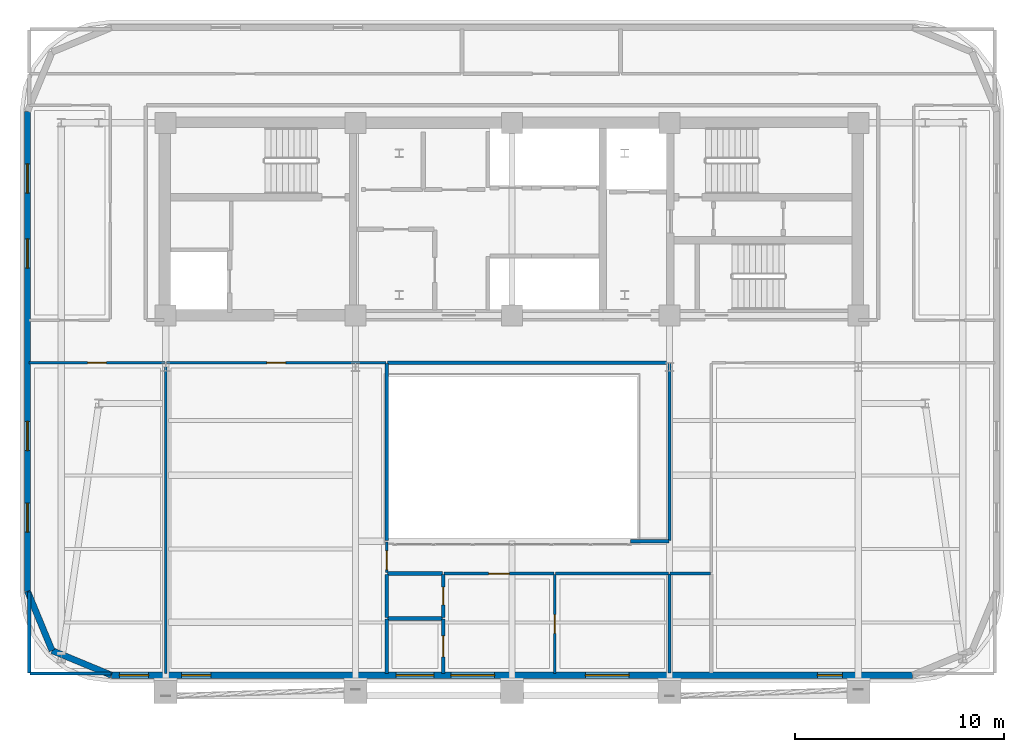
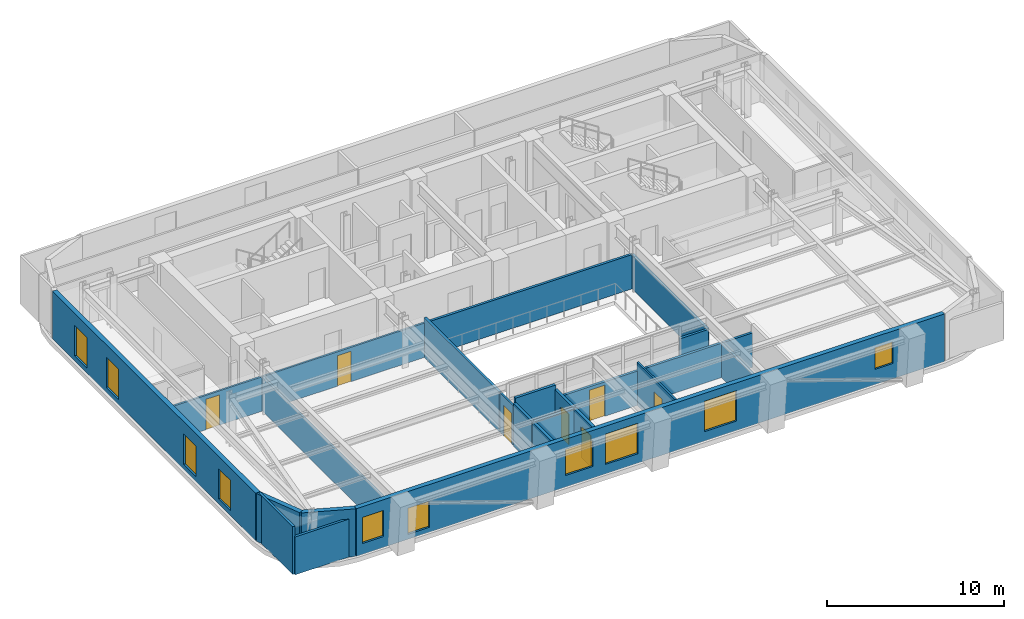
# One storey, part 6 of 13: 25 walls, 10 windows, 7 doors, 17 openings.
"""IFC4 building model written with IfcOpenShell, lengths in metres."""

from ifc_helpers import new_model, si_unit, direction, frame, frame_2d, origin, place, context, subcontext, project, spatial, rectangle, extrude, material, layer, layer_set, type_object, element, fill, save


model = new_model("IFC4")

# Units and contexts
model_context = context("Model", 3, precision=1e-05, world=origin(), true_north=direction((0.0, 1.0)))
body_context = subcontext(model_context, "Body", "Model", "MODEL_VIEW")
ifc_project = project(units=[si_unit("LENGTHUNIT", "METRE"), si_unit("AREAUNIT", "SQUARE_METRE"), si_unit("VOLUMEUNIT", "CUBIC_METRE"), si_unit("PLANEANGLEUNIT", "RADIAN"), si_unit("MASSUNIT", "GRAM", prefix="KILO")], contexts=[model_context])

# Site, building, storey
site_placement = place(None, origin())
site = spatial("IfcSite", under=ifc_project, at=site_placement, CompositionType="ELEMENT")
building_placement = place(site_placement, origin())
building = spatial("IfcBuilding", under=site, at=building_placement, Name="Zarnavel Station Tower", CompositionType="ELEMENT")
storey_placement = place(building_placement, frame((0.0, 0.0, 180.300048828125)))
storey = spatial("IfcBuildingStorey", under=building, at=storey_placement, Name="L49", CompositionType="ELEMENT", Elevation=180.300048828125)

# Wall, openings, windows
ifc_material_1 = material(Name="Precast concrete C45/55 (Dark Basalt Finish)", Category="masonry")
ifc_layer_1 = layer(ifc_material_1, 0.300048828125)
ifc_layer_set_1 = layer_set([ifc_layer_1], Name="EW_BASALT_300")
wall_type_1 = type_object("IfcWallType", Name="EW_BASALT_300", PredefinedType="SOLIDWALL", material=ifc_layer_set_1)
wall_1_placement = place(storey_placement, frame((5.580078125, 14.60009765625, 0.0), z_axis=(0.0, 0.0, 1.0), x_axis=(0.0, 1.0, 0.0)))
wall_1 = element("IfcWall", 1, at=wall_1_placement, inside=storey, type_object=wall_type_1, Name="L49 Exterior Basalt Masonry Frame Wall 09", PredefinedType="SOLIDWALL", context=body_context, shape_type="SweptSolid", body=[
    extrude(rectangle(XDim=23.0, YDim=0.300048828125, at=frame_2d((11.5, 0.0))), origin(), (0.0, 0.0, 1.0), 3.2900390625),
])
opening_1_placement = place(wall_1_placement, frame((15.493408203125, 0.0, 0.340087890625)))
opening_1 = element("IfcOpeningElement", 2, at=opening_1_placement, cuts=wall_1, Name="Opening WN04", PredefinedType="OPENING", context=body_context, shape_type="SweptSolid", body=[
    extrude(rectangle(XDim=1.39990234375, YDim=2.10009765625, at=frame_2d((0.699951171875, 1.050048828125))), frame((0.0, 0.159912109375, 0.0), z_axis=(0.0, -1.0, 0.0), x_axis=(1.0, 0.0, 0.0)), (0.0, 0.0, 1.0), 0.320068359375),
])
opening_2_placement = place(wall_1_placement, frame((19.086669921875, 0.0, 0.340087890625)))
opening_2 = element("IfcOpeningElement", 3, at=opening_2_placement, cuts=wall_1, Name="Opening WN04", PredefinedType="OPENING", context=body_context, shape_type="SweptSolid", body=[
    extrude(rectangle(XDim=1.39990234375, YDim=2.10009765625, at=frame_2d((0.699951171875, 1.050048828125))), frame((0.0, 0.159912109375, 0.0), z_axis=(0.0, -1.0, 0.0), x_axis=(1.0, 0.0, 0.0)), (0.0, 0.0, 1.0), 0.320068359375),
])
opening_3_placement = place(wall_1_placement, frame((2.830078125, 0.0, 0.340087890625)))
opening_3 = element("IfcOpeningElement", 4, at=opening_3_placement, cuts=wall_1, Name="Opening WN04", PredefinedType="OPENING", context=body_context, shape_type="SweptSolid", body=[
    extrude(rectangle(XDim=1.39990234375, YDim=2.10009765625, at=frame_2d((0.699951171875, 1.050048828125))), frame((0.0, 0.159912109375, 0.0), z_axis=(0.0, -1.0, 0.0), x_axis=(1.0, 0.0, 0.0)), (0.0, 0.0, 1.0), 0.320068359375),
])
opening_4_placement = place(wall_1_placement, frame((6.739990234375, 0.0, 0.340087890625)))
opening_4 = element("IfcOpeningElement", 5, at=opening_4_placement, cuts=wall_1, Name="Opening WN04", PredefinedType="OPENING", context=body_context, shape_type="SweptSolid", body=[
    extrude(rectangle(XDim=1.39990234375, YDim=2.10009765625, at=frame_2d((0.699951171875, 1.050048828125))), frame((0.0, 0.159912109375, 0.0), z_axis=(0.0, -1.0, 0.0), x_axis=(1.0, 0.0, 0.0)), (0.0, 0.0, 1.0), 0.320068359375),
])
ifc_material_2 = material(Name="Thermally Broken Black Aluminium and Low-E Dark Glass", Category="aluminium")
window_type_1 = type_object("IfcWindowType", Name="WN_1400x2100", PartitioningType="DOUBLE_PANEL_VERTICAL", PredefinedType="WINDOW", material=ifc_material_2)
window_1_placement = place(opening_1_placement, origin())
window_1 = element("IfcWindow", 6, at=window_1_placement, inside=storey, type_object=window_type_1, Name="L49 Recessed Facade Window 01", OverallHeight=2.10009765625, OverallWidth=1.39990234375, PartitioningType="SINGLE_PANEL", PredefinedType="WINDOW", context=body_context, shape_type="SweptSolid", body=[
    extrude(rectangle(XDim=1.39990234375, YDim=2.10009765625, at=frame_2d((0.699951171875, 1.050048828125))), frame((0.0, 0.030029296875, 0.0), z_axis=(0.0, -1.0, 0.0), x_axis=(1.0, 0.0, 0.0)), (0.0, 0.0, 1.0), 0.06005859375),
])
fill(opening_1, window_1)
window_2_placement = place(opening_2_placement, origin())
window_2 = element("IfcWindow", 7, at=window_2_placement, inside=storey, type_object=window_type_1, Name="L49 Recessed Facade Window 02", OverallHeight=2.10009765625, OverallWidth=1.39990234375, PartitioningType="SINGLE_PANEL", PredefinedType="WINDOW", context=body_context, shape_type="SweptSolid", body=[
    extrude(rectangle(XDim=1.39990234375, YDim=2.10009765625, at=frame_2d((0.699951171875, 1.050048828125))), frame((0.0, 0.030029296875, 0.0), z_axis=(0.0, -1.0, 0.0), x_axis=(1.0, 0.0, 0.0)), (0.0, 0.0, 1.0), 0.06005859375),
])
fill(opening_2, window_2)
window_3_placement = place(opening_3_placement, origin())
window_3 = element("IfcWindow", 8, at=window_3_placement, inside=storey, type_object=window_type_1, Name="L49 Recessed Facade Window 03", OverallHeight=2.10009765625, OverallWidth=1.39990234375, PartitioningType="SINGLE_PANEL", PredefinedType="WINDOW", context=body_context, shape_type="SweptSolid", body=[
    extrude(rectangle(XDim=1.39990234375, YDim=2.10009765625, at=frame_2d((0.699951171875, 1.050048828125))), frame((0.0, 0.030029296875, 0.0), z_axis=(0.0, -1.0, 0.0), x_axis=(1.0, 0.0, 0.0)), (0.0, 0.0, 1.0), 0.06005859375),
])
fill(opening_3, window_3)
window_4_placement = place(opening_4_placement, origin())
window_4 = element("IfcWindow", 9, at=window_4_placement, inside=storey, type_object=window_type_1, Name="L49 Recessed Facade Window 04", OverallHeight=2.10009765625, OverallWidth=1.39990234375, PartitioningType="SINGLE_PANEL", PredefinedType="WINDOW", context=body_context, shape_type="SweptSolid", body=[
    extrude(rectangle(XDim=1.39990234375, YDim=2.10009765625, at=frame_2d((0.699951171875, 1.050048828125))), frame((0.0, 0.030029296875, 0.0), z_axis=(0.0, -1.0, 0.0), x_axis=(1.0, 0.0, 0.0)), (0.0, 0.0, 1.0), 0.06005859375),
])
fill(opening_4, window_4)

# Walls
for number, where, z_axis, x_axis, name in (
    (10, (6.75732421875, 11.75732421875, 0.0), (0.0, 0.0, 1.0), (-0.382608747773, 0.923910464346, 0.0), "L49 Exterior Basalt Masonry Frame Wall 10"),
    (11, (9.60009765625, 10.580078125, 0.0), (0.0, 0.0, 1.0), (-0.923910464346, 0.382608747773, 0.0), "L49 Exterior Basalt Masonry Frame Wall 11"),
):
    element("IfcWall", number, at=place(storey_placement, frame(where, z_axis=z_axis, x_axis=x_axis)), inside=storey, type_object=wall_type_1, Name=name, PredefinedType="SOLIDWALL", context=body_context, shape_type="SweptSolid", body=[
        extrude(rectangle(XDim=3.076904296875, YDim=0.300048828125, at=frame_2d((1.53857421875, 0.0))), origin(), (0.0, 0.0, 1.0), 3.2900390625),
    ])

# Wall, openings, windows
wall_2_placement = place(storey_placement, frame((48.0, 10.580078125, 0.0), z_axis=(0.0, 0.0, 1.0), x_axis=(-1.0, 0.0, 0.0)))
wall_2 = element("IfcWall", 12, at=wall_2_placement, inside=storey, type_object=wall_type_1, Name="L49 Exterior Basalt Masonry Frame Wall 12", PredefinedType="SOLIDWALL", context=body_context, shape_type="SweptSolid", body=[
    extrude(rectangle(XDim=38.39990234375, YDim=0.300048828125, at=frame_2d((19.199951171875, 0.0))), origin(), (0.0, 0.0, 1.0), 3.2900390625),
])
opening_5_placement = place(wall_2_placement, frame((36.621337890625, 0.0, 0.75)))
opening_5 = element("IfcOpeningElement", 13, at=opening_5_placement, cuts=wall_2, Name="Opening WN01", PredefinedType="OPENING", context=body_context, shape_type="SweptSolid", body=[
    extrude(rectangle(XDim=1.39990234375, YDim=1.800048828125, at=frame_2d((0.699951171875, 0.89990234375))), frame((0.0, 0.159912109375, 0.0), z_axis=(0.0, -1.0, 0.0), x_axis=(1.0, 0.0, 0.0)), (0.0, 0.0, 1.0), 0.320068359375),
])
opening_6_placement = place(wall_2_placement, frame((33.63720703125, 0.0, 0.340087890625)))
opening_6 = element("IfcOpeningElement", 14, at=opening_6_placement, cuts=wall_2, Name="Opening WN01", PredefinedType="OPENING", context=body_context, shape_type="SweptSolid", body=[
    extrude(rectangle(XDim=1.39990234375, YDim=1.800048828125, at=frame_2d((0.699951171875, 0.89990234375))), frame((0.0, 0.159912109375, 0.0), z_axis=(0.0, -1.0, 0.0), x_axis=(1.0, 0.0, 0.0)), (0.0, 0.0, 1.0), 0.320068359375),
])
opening_7_placement = place(wall_2_placement, frame((20.031494140625, 0.0, 0.64990234375)))
opening_7 = element("IfcOpeningElement", 15, at=opening_7_placement, cuts=wall_2, Name="Opening WN05", PredefinedType="OPENING", context=body_context, shape_type="SweptSolid", body=[
    extrude(rectangle(XDim=2.10009765625, YDim=2.10009765625, at=frame_2d((1.050048828125, 1.050048828125))), frame((0.0, 0.159912109375, 0.0), z_axis=(0.0, -1.0, 0.0), x_axis=(1.0, 0.0, 0.0)), (0.0, 0.0, 1.0), 0.320068359375),
])
opening_8_placement = place(wall_2_placement, frame((22.949951171875, 0.0, 0.800048828125)))
opening_8 = element("IfcOpeningElement", 16, at=opening_8_placement, cuts=wall_2, Name="Opening WN02", PredefinedType="OPENING", context=body_context, shape_type="SweptSolid", body=[
    extrude(rectangle(XDim=1.800048828125, YDim=1.800048828125, at=frame_2d((0.89990234375, 0.89990234375))), frame((0.0, 0.159912109375, 0.0), z_axis=(0.0, -1.0, 0.0), x_axis=(1.0, 0.0, 0.0)), (0.0, 0.0, 1.0), 0.320068359375),
])
opening_9_placement = place(wall_2_placement, frame((13.581298828125, 0.0, 0.64990234375)))
opening_9 = element("IfcOpeningElement", 17, at=opening_9_placement, cuts=wall_2, Name="Opening WN05", PredefinedType="OPENING", context=body_context, shape_type="SweptSolid", body=[
    extrude(rectangle(XDim=2.10009765625, YDim=2.10009765625, at=frame_2d((1.050048828125, 1.050048828125))), frame((0.0, 0.159912109375, 0.0), z_axis=(0.0, -1.0, 0.0), x_axis=(1.0, 0.0, 0.0)), (0.0, 0.0, 1.0), 0.320068359375),
])
opening_10_placement = place(wall_2_placement, frame((3.36279296875, 0.0, 1.050048828125)))
opening_10 = element("IfcOpeningElement", 18, at=opening_10_placement, cuts=wall_2, Name="Opening WN08", PredefinedType="OPENING", context=body_context, shape_type="SweptSolid", body=[
    extrude(rectangle(XDim=1.199951171875, YDim=1.5, at=frame_2d((0.60009765625, 0.75))), frame((0.0, 0.159912109375, 0.0), z_axis=(0.0, -1.0, 0.0), x_axis=(1.0, 0.0, 0.0)), (0.0, 0.0, 1.0), 0.320068359375),
])
ifc_material_3 = material(Name="Thermally Broken Black Aluminium and Low-E Dark Glass", Category="aluminium")
window_type_2 = type_object("IfcWindowType", Name="WN_1200x1500", PartitioningType="SINGLE_PANEL", PredefinedType="WINDOW", material=ifc_material_3)
window_5_placement = place(opening_10_placement, origin())
window_5 = element("IfcWindow", 19, at=window_5_placement, inside=storey, type_object=window_type_2, Name="L49 Recessed Facade Window 06", OverallHeight=1.5, OverallWidth=1.199951171875, PartitioningType="SINGLE_PANEL", PredefinedType="WINDOW", context=body_context, shape_type="SweptSolid", body=[
    extrude(rectangle(XDim=1.199951171875, YDim=1.5, at=frame_2d((0.60009765625, 0.75))), frame((0.0, 0.030029296875, 0.0), z_axis=(0.0, -1.0, 0.0), x_axis=(1.0, 0.0, 0.0)), (0.0, 0.0, 1.0), 0.06005859375),
])
fill(opening_10, window_5)
ifc_material_4 = material(Name="Thermally Broken Black Aluminium and Low-E Dark Glass", Category="aluminium")
window_type_3 = type_object("IfcWindowType", Name="WN_1400x1800", PartitioningType="DOUBLE_PANEL_VERTICAL", PredefinedType="WINDOW", material=ifc_material_4)
window_6_placement = place(opening_5_placement, origin())
window_6 = element("IfcWindow", 20, at=window_6_placement, inside=storey, type_object=window_type_3, Name="L49 Recessed Facade Window 01", OverallHeight=1.800048828125, OverallWidth=1.39990234375, PartitioningType="SINGLE_PANEL", PredefinedType="WINDOW", context=body_context, shape_type="SweptSolid", body=[
    extrude(rectangle(XDim=1.39990234375, YDim=1.800048828125, at=frame_2d((0.699951171875, 0.89990234375))), frame((0.0, 0.030029296875, 0.0), z_axis=(0.0, -1.0, 0.0), x_axis=(1.0, 0.0, 0.0)), (0.0, 0.0, 1.0), 0.06005859375),
])
fill(opening_5, window_6)
window_7_placement = place(opening_6_placement, origin())
window_7 = element("IfcWindow", 21, at=window_7_placement, inside=storey, type_object=window_type_3, Name="L49 Recessed Facade Window 02", OverallHeight=1.800048828125, OverallWidth=1.39990234375, PartitioningType="SINGLE_PANEL", PredefinedType="WINDOW", context=body_context, shape_type="SweptSolid", body=[
    extrude(rectangle(XDim=1.39990234375, YDim=1.800048828125, at=frame_2d((0.699951171875, 0.89990234375))), frame((0.0, 0.030029296875, 0.0), z_axis=(0.0, -1.0, 0.0), x_axis=(1.0, 0.0, 0.0)), (0.0, 0.0, 1.0), 0.06005859375),
])
fill(opening_6, window_7)
ifc_material_5 = material(Name="Thermally Broken Black Aluminium and Low-E Dark Glass", Category="aluminium")
window_type_4 = type_object("IfcWindowType", Name="WN_1800x1800", PartitioningType="DOUBLE_PANEL_VERTICAL", PredefinedType="WINDOW", material=ifc_material_5)
window_8_placement = place(opening_8_placement, origin())
window_8 = element("IfcWindow", 22, at=window_8_placement, inside=storey, type_object=window_type_4, Name="L49 Recessed Facade Window 04", OverallHeight=1.800048828125, OverallWidth=1.800048828125, PartitioningType="SINGLE_PANEL", PredefinedType="WINDOW", context=body_context, shape_type="SweptSolid", body=[
    extrude(rectangle(XDim=1.800048828125, YDim=1.800048828125, at=frame_2d((0.89990234375, 0.89990234375))), frame((0.0, 0.030029296875, 0.0), z_axis=(0.0, -1.0, 0.0), x_axis=(1.0, 0.0, 0.0)), (0.0, 0.0, 1.0), 0.06005859375),
])
fill(opening_8, window_8)
ifc_material_6 = material(Name="Thermally Broken Black Aluminium and Low-E Dark Glass", Category="aluminium")
window_type_5 = type_object("IfcWindowType", Name="WN_2100x2100", PartitioningType="TRIPLE_PANEL_VERTICAL", PredefinedType="WINDOW", material=ifc_material_6)
window_9_placement = place(opening_7_placement, origin())
window_9 = element("IfcWindow", 23, at=window_9_placement, inside=storey, type_object=window_type_5, Name="L49 Recessed Facade Window 03", OverallHeight=2.10009765625, OverallWidth=2.10009765625, PartitioningType="SINGLE_PANEL", PredefinedType="WINDOW", context=body_context, shape_type="SweptSolid", body=[
    extrude(rectangle(XDim=2.10009765625, YDim=2.10009765625, at=frame_2d((1.050048828125, 1.050048828125))), frame((0.0, 0.030029296875, 0.0), z_axis=(0.0, -1.0, 0.0), x_axis=(1.0, 0.0, 0.0)), (0.0, 0.0, 1.0), 0.06005859375),
])
fill(opening_7, window_9)
window_10_placement = place(opening_9_placement, origin())
window_10 = element("IfcWindow", 24, at=window_10_placement, inside=storey, type_object=window_type_5, Name="L49 Recessed Facade Window 05", OverallHeight=2.10009765625, OverallWidth=2.10009765625, PartitioningType="SINGLE_PANEL", PredefinedType="WINDOW", context=body_context, shape_type="SweptSolid", body=[
    extrude(rectangle(XDim=2.10009765625, YDim=2.10009765625, at=frame_2d((1.050048828125, 1.050048828125))), frame((0.0, 0.030029296875, 0.0), z_axis=(0.0, -1.0, 0.0), x_axis=(1.0, 0.0, 0.0)), (0.0, 0.0, 1.0), 0.06005859375),
])
fill(opening_9, window_10)

# Wall, opening, door
ifc_material_7 = material(Name="Gypsum Twin-Stud Acoustic Fire Partition", Category="concrete")
ifc_layer_2 = layer(ifc_material_7, 0.159912109375)
ifc_layer_set_2 = layer_set([ifc_layer_2], Name="PT_DEMISE_160")
wall_type_2 = type_object("IfcWallType", Name="PT_DEMISE_160", PredefinedType="PARTITIONING", material=ifc_layer_set_2)
wall_3_placement = place(storey_placement, frame((25.5400390625, 15.449951171875, 0.0), z_axis=(0.0, 0.0, 1.0), x_axis=(1.0, 0.0, 0.0)))
wall_3 = element("IfcWall", 25, at=wall_3_placement, inside=storey, type_object=wall_type_2, Name="L49 Partition COR-AS-US1LV", PredefinedType="PARTITIONING", context=body_context, shape_type="SweptSolid", body=[
    extrude(rectangle(XDim=5.27001953125, YDim=0.159912109375, at=frame_2d((2.635009765625, 0.0))), origin(), (0.0, 0.0, 1.0), 2.369873046875),
])
opening_11_placement = place(wall_3_placement, frame((2.135009765625, 0.0, 0.0)))
opening_11 = element("IfcOpeningElement", 26, at=opening_11_placement, cuts=wall_3, Name="Opening FD02", PredefinedType="OPENING", context=body_context, shape_type="SweptSolid", body=[
    extrude(rectangle(XDim=1.0, YDim=2.14990234375, at=frame_2d((0.5, 1.074951171875))), frame((0.0, 0.08984375, 0.0), z_axis=(0.0, -1.0, 0.0), x_axis=(1.0, 0.0, 0.0)), (0.0, 0.0, 1.0), 0.179931640625),
])
ifc_material_8 = material(Name="Painted Galvanised Steel and Hardwood Leaf", Category="steel")
door_type_1 = type_object("IfcDoorType", Name="ID_ENTRY_1000", OperationType="NOTDEFINED", PredefinedType="DOOR", material=ifc_material_8)
door_1_placement = place(opening_11_placement, origin())
door_1 = element("IfcDoor", 27, at=door_1_placement, inside=storey, type_object=door_type_1, Name="L49 Door COR-AS-US1LV", OperationType="SINGLE_SWING_RIGHT", OverallHeight=2.14990234375, OverallWidth=1.0, PredefinedType="DOOR", context=body_context, shape_type="SweptSolid", body=[
    extrude(rectangle(XDim=1.0, YDim=2.14990234375, at=frame_2d((0.5, 1.074951171875))), frame((0.0, 0.02490234375, 0.0), z_axis=(0.0, -1.0, 0.0), x_axis=(1.0, 0.0, 0.0)), (0.0, 0.0, 1.0), 0.050048828125),
])
fill(opening_11, door_1)

# Walls
wall_4_placement = place(storey_placement, frame((30.889892578125, 15.449951171875, 0.0), z_axis=(0.0, 0.0, 1.0), x_axis=(1.0, 0.0, 0.0)))
element("IfcWall", 28, at=wall_4_placement, inside=storey, type_object=wall_type_2, Name="L49 Partition COR-AS-US1B1", PredefinedType="PARTITIONING", context=body_context, shape_type="SweptSolid", body=[
    extrude(rectangle(XDim=5.420166015625, YDim=0.159912109375, at=frame_2d((2.7099609375, 0.0))), origin(), (0.0, 0.0, 1.0), 2.369873046875),
])
wall_5_placement = place(storey_placement, frame((22.830078125, 25.550048828125, 0.0), z_axis=(0.0, 0.0, 1.0), x_axis=(1.0, 0.0, 0.0)))
element("IfcWall", 29, at=wall_5_placement, inside=storey, type_object=wall_type_2, Name="L49 Enclosure Wall COR-S", PredefinedType="PARTITIONING", context=body_context, shape_type="SweptSolid", body=[
    extrude(rectangle(XDim=13.489990234375, YDim=0.159912109375, at=frame_2d((6.7451171875, 0.0))), origin(), (0.0, 0.0, 1.0), 2.369873046875),
])
wall_6_placement = place(storey_placement, frame((36.3798828125, 15.449951171875, 0.0), z_axis=(0.0, 0.0, 1.0), x_axis=(1.0, 0.0, 0.0)))
element("IfcWall", 30, at=wall_6_placement, inside=storey, type_object=wall_type_2, Name="L49 Enclosure Wall COR-AE", PredefinedType="PARTITIONING", context=body_context, shape_type="SweptSolid", body=[
    extrude(rectangle(XDim=1.940185546875, YDim=0.159912109375, at=frame_2d((0.97021484375, 0.0))), origin(), (0.0, 0.0, 1.0), 2.369873046875),
])
wall_7_placement = place(storey_placement, frame((36.35009765625, 17.030029296875, 0.0), z_axis=(0.0, 0.0, 1.0), x_axis=(0.0, 1.0, 0.0)))
element("IfcWall", 31, at=wall_7_placement, inside=storey, type_object=wall_type_2, Name="L49 Enclosure Wall COR-AE", PredefinedType="PARTITIONING", context=body_context, shape_type="SweptSolid", body=[
    extrude(rectangle(XDim=8.489990234375, YDim=0.159912109375, at=frame_2d((4.2451171875, 0.0))), origin(), (0.0, 0.0, 1.0), 2.369873046875),
])
wall_8_placement = place(storey_placement, frame((34.47998046875, 17.0, 0.0), z_axis=(0.0, 0.0, 1.0), x_axis=(1.0, 0.0, 0.0)))
element("IfcWall", 32, at=wall_8_placement, inside=storey, type_object=wall_type_2, Name="L49 Enclosure Wall COR-AS", PredefinedType="PARTITIONING", context=body_context, shape_type="SweptSolid", body=[
    extrude(rectangle(XDim=1.840087890625, YDim=0.159912109375, at=frame_2d((0.919921875, 0.0))), origin(), (0.0, 0.0, 1.0), 2.369873046875),
])
wall_9_placement = place(storey_placement, frame((5.68994140625, 10.659912109375, 0.0), z_axis=(0.0, 0.0, 1.0), x_axis=(1.0, 0.0, 0.0)))
element("IfcWall", 33, at=wall_9_placement, inside=storey, type_object=wall_type_2, Name="L49 Enclosure Wall L49CIN", PredefinedType="PARTITIONING", context=body_context, shape_type="SweptSolid", body=[
    extrude(rectangle(XDim=3.880126953125, YDim=0.159912109375, at=frame_2d((1.93994140625, 0.0))), origin(), (0.0, 0.0, 1.0), 2.619873046875),
])
wall_10_placement = place(storey_placement, frame((5.659912109375, 10.68994140625, 0.0), z_axis=(0.0, 0.0, 1.0), x_axis=(0.0, 1.0, 0.0)))
element("IfcWall", 34, at=wall_10_placement, inside=storey, type_object=wall_type_2, Name="L49 Enclosure Wall L49CIN", PredefinedType="PARTITIONING", context=body_context, shape_type="SweptSolid", body=[
    extrude(rectangle(XDim=3.880126953125, YDim=0.159912109375, at=frame_2d((1.93994140625, 0.0))), origin(), (0.0, 0.0, 1.0), 3.2900390625),
])
wall_11_placement = place(storey_placement, frame((22.800048828125, 17.030029296875, 0.0), z_axis=(0.0, 0.0, 1.0), x_axis=(0.0, 1.0, 0.0)))
element("IfcWall", 35, at=wall_11_placement, inside=storey, type_object=wall_type_2, Name="L49 Enclosure Wall L49GAM", PredefinedType="PARTITIONING", context=body_context, shape_type="SweptSolid", body=[
    extrude(rectangle(XDim=8.489990234375, YDim=0.159912109375, at=frame_2d((4.2451171875, 0.0))), origin(), (0.0, 0.0, 1.0), 2.72998046875),
])
wall_12_placement = place(storey_placement, frame((36.35009765625, 10.68994140625, 0.0), z_axis=(0.0, 0.0, 1.0), x_axis=(0.0, 1.0, 0.0)))
element("IfcWall", 36, at=wall_12_placement, inside=storey, type_object=wall_type_2, Name="L49 Enclosure Wall US1B1", PredefinedType="PARTITIONING", context=body_context, shape_type="SweptSolid", body=[
    extrude(rectangle(XDim=4.72998046875, YDim=0.159912109375, at=frame_2d((2.364990234375, 0.0))), origin(), (0.0, 0.0, 1.0), 2.369873046875),
])

# Wall, opening, door
ifc_material_9 = material(Name="Gypsum Metal-Stud Interior Partition", Category="concrete")
ifc_layer_3 = layer(ifc_material_9, 0.1201171875)
ifc_layer_set_3 = layer_set([ifc_layer_3], Name="PT_ROOM_120")
wall_type_3 = type_object("IfcWallType", Name="PT_ROOM_120", PredefinedType="PARTITIONING", material=ifc_layer_set_3)
wall_13_placement = place(storey_placement, frame((5.659912109375, 25.550048828125, 0.0), z_axis=(0.0, 0.0, 1.0), x_axis=(1.0, 0.0, 0.0)))
wall_13 = element("IfcWall", 37, at=wall_13_placement, inside=storey, type_object=wall_type_3, Name="L49 Partition COR-S-L49CIN", PredefinedType="PARTITIONING", context=body_context, shape_type="SweptSolid", body=[
    extrude(rectangle(XDim=6.5, YDim=0.1201171875, at=frame_2d((3.25, 0.0))), origin(), (0.0, 0.0, 1.0), 2.369873046875),
])
opening_12_placement = place(wall_13_placement, frame((2.800048828125, 0.0, 0.0)))
opening_12 = element("IfcOpeningElement", 38, at=opening_12_placement, cuts=wall_13, Name="Opening ID01", PredefinedType="OPENING", context=body_context, shape_type="SweptSolid", body=[
    extrude(rectangle(XDim=0.89990234375, YDim=2.10009765625, at=frame_2d((0.449951171875, 1.050048828125))), frame((0.0, 0.070068359375, 0.0), z_axis=(0.0, -1.0, 0.0), x_axis=(1.0, 0.0, 0.0)), (0.0, 0.0, 1.0), 0.14013671875),
])
ifc_material_10 = material(Name="Painted Galvanised Steel and Hardwood Leaf", Category="steel")
door_type_2 = type_object("IfcDoorType", Name="ID_ROOM_900", OperationType="NOTDEFINED", PredefinedType="DOOR", material=ifc_material_10)
door_2_placement = place(opening_12_placement, origin())
door_2 = element("IfcDoor", 39, at=door_2_placement, inside=storey, type_object=door_type_2, Name="L49 Door COR-S-L49CIN", OperationType="SINGLE_SWING_RIGHT", OverallHeight=2.10009765625, OverallWidth=0.89990234375, PredefinedType="DOOR", context=body_context, shape_type="SweptSolid", body=[
    extrude(rectangle(XDim=0.89990234375, YDim=2.10009765625, at=frame_2d((0.449951171875, 1.050048828125))), frame((0.0, 0.02490234375, 0.0), z_axis=(0.0, -1.0, 0.0), x_axis=(1.0, 0.0, 0.0)), (0.0, 0.0, 1.0), 0.050048828125),
])
fill(opening_12, door_2)

wall_14_placement = place(storey_placement, frame((12.239990234375, 25.550048828125, 0.0), z_axis=(0.0, 0.0, 1.0), x_axis=(1.0, 0.0, 0.0)))
wall_14 = element("IfcWall", 40, at=wall_14_placement, inside=storey, type_object=wall_type_3, Name="L49 Partition COR-S-L49GAM", PredefinedType="PARTITIONING", context=body_context, shape_type="SweptSolid", body=[
    extrude(rectangle(XDim=10.52001953125, YDim=0.1201171875, at=frame_2d((5.260009765625, 0.0))), origin(), (0.0, 0.0, 1.0), 2.369873046875),
])
opening_13_placement = place(wall_14_placement, frame((4.81005859375, 0.0, 0.0)))
opening_13 = element("IfcOpeningElement", 41, at=opening_13_placement, cuts=wall_14, Name="Opening ID01", PredefinedType="OPENING", context=body_context, shape_type="SweptSolid", body=[
    extrude(rectangle(XDim=0.89990234375, YDim=2.10009765625, at=frame_2d((0.449951171875, 1.050048828125))), frame((0.0, 0.070068359375, 0.0), z_axis=(0.0, -1.0, 0.0), x_axis=(1.0, 0.0, 0.0)), (0.0, 0.0, 1.0), 0.14013671875),
])
door_3_placement = place(opening_13_placement, origin())
door_3 = element("IfcDoor", 42, at=door_3_placement, inside=storey, type_object=door_type_2, Name="L49 Door COR-S-L49GAM", OperationType="SINGLE_SWING_LEFT", OverallHeight=2.10009765625, OverallWidth=0.89990234375, PredefinedType="DOOR", context=body_context, shape_type="SweptSolid", body=[
    extrude(rectangle(XDim=0.89990234375, YDim=2.10009765625, at=frame_2d((0.449951171875, 1.050048828125))), frame((0.0, 0.02490234375, 0.0), z_axis=(0.0, -1.0, 0.0), x_axis=(1.0, 0.0, 0.0)), (0.0, 0.0, 1.0), 0.050048828125),
])
fill(opening_13, door_3)

wall_15_placement = place(storey_placement, frame((22.800048828125, 15.489990234375, 0.0), z_axis=(0.0, 0.0, 1.0), x_axis=(0.0, 1.0, 0.0)))
wall_15 = element("IfcWall", 43, at=wall_15_placement, inside=storey, type_object=wall_type_3, Name="L49 Partition COR-AS-L49GAM", PredefinedType="PARTITIONING", context=body_context, shape_type="SweptSolid", body=[
    extrude(rectangle(XDim=1.469970703125, YDim=0.1201171875, at=frame_2d((0.73486328125, 0.0))), origin(), (0.0, 0.0, 1.0), 2.72998046875),
])
opening_14_placement = place(wall_15_placement, frame((0.152099609375, 0.0, 0.0)))
opening_14 = element("IfcOpeningElement", 44, at=opening_14_placement, cuts=wall_15, Name="Opening ID01", PredefinedType="OPENING", context=body_context, shape_type="SweptSolid", body=[
    extrude(rectangle(XDim=0.89990234375, YDim=2.10009765625, at=frame_2d((0.449951171875, 1.050048828125))), frame((0.0, 0.070068359375, 0.0), z_axis=(0.0, -1.0, 0.0), x_axis=(1.0, 0.0, 0.0)), (0.0, 0.0, 1.0), 0.14013671875),
])
door_4_placement = place(opening_14_placement, origin())
door_4 = element("IfcDoor", 45, at=door_4_placement, inside=storey, type_object=door_type_2, Name="L49 Door COR-AS-L49GAM", OperationType="SINGLE_SWING_LEFT", OverallHeight=2.10009765625, OverallWidth=0.89990234375, PredefinedType="DOOR", context=body_context, shape_type="SweptSolid", body=[
    extrude(rectangle(XDim=0.89990234375, YDim=2.10009765625, at=frame_2d((0.449951171875, 1.050048828125))), frame((0.0, 0.02490234375, 0.0), z_axis=(0.0, -1.0, 0.0), x_axis=(1.0, 0.0, 0.0)), (0.0, 0.0, 1.0), 0.050048828125),
])
fill(opening_14, door_4)

# Wall
wall_16_placement = place(storey_placement, frame((12.199951171875, 10.659912109375, 0.0), z_axis=(0.0, 0.0, 1.0), x_axis=(0.0, 1.0, 0.0)))
element("IfcWall", 46, at=wall_16_placement, inside=storey, type_object=wall_type_3, Name="L49 Partition L49CIN-L49GAM", PredefinedType="PARTITIONING", context=body_context, shape_type="SweptSolid", body=[
    extrude(rectangle(XDim=14.85009765625, YDim=0.1201171875, at=frame_2d((7.425048828125, 0.0))), origin(), (0.0, 0.0, 1.0), 2.369873046875),
])

# Wall, opening, door
wall_17_placement = place(storey_placement, frame((30.85009765625, 10.659912109375, 0.0), z_axis=(0.0, 0.0, 1.0), x_axis=(0.0, 1.0, 0.0)))
wall_17 = element("IfcWall", 47, at=wall_17_placement, inside=storey, type_object=wall_type_3, Name="L49 Partition US1LV-US1B1", PredefinedType="PARTITIONING", context=body_context, shape_type="SweptSolid", body=[
    extrude(rectangle(XDim=4.75, YDim=0.1201171875, at=frame_2d((2.375, 0.0))), origin(), (0.0, 0.0, 1.0), 2.969970703125),
])
opening_15_placement = place(wall_17_placement, frame((1.925048828125, 0.0, 0.0)))
opening_15 = element("IfcOpeningElement", 48, at=opening_15_placement, cuts=wall_17, Name="Opening ID01", PredefinedType="OPENING", context=body_context, shape_type="SweptSolid", body=[
    extrude(rectangle(XDim=0.89990234375, YDim=2.10009765625, at=frame_2d((0.449951171875, 1.050048828125))), frame((0.0, 0.070068359375, 0.0), z_axis=(0.0, -1.0, 0.0), x_axis=(1.0, 0.0, 0.0)), (0.0, 0.0, 1.0), 0.14013671875),
])
door_5_placement = place(opening_15_placement, origin())
door_5 = element("IfcDoor", 49, at=door_5_placement, inside=storey, type_object=door_type_2, Name="L49 Door US1LV-US1B1", OperationType="SINGLE_SWING_LEFT", OverallHeight=2.10009765625, OverallWidth=0.89990234375, PredefinedType="DOOR", context=body_context, shape_type="SweptSolid", body=[
    extrude(rectangle(XDim=0.89990234375, YDim=2.10009765625, at=frame_2d((0.449951171875, 1.050048828125))), frame((0.0, 0.02490234375, 0.0), z_axis=(0.0, -1.0, 0.0), x_axis=(1.0, 0.0, 0.0)), (0.0, 0.0, 1.0), 0.050048828125),
])
fill(opening_15, door_5)

# Walls
ifc_material_11 = material(Name="Moisture-Resistant Plumbing Chase Wall", Category="concrete")
ifc_layer_4 = layer(ifc_material_11, 0.179931640625)
ifc_layer_set_4 = layer_set([ifc_layer_4], Name="PW_PLUMB_180")
wall_type_4 = type_object("IfcWallType", Name="PW_PLUMB_180", PredefinedType="PLUMBINGWALL", material=ifc_layer_set_4)
wall_18_placement = place(storey_placement, frame((22.840087890625, 15.449951171875, 0.0), z_axis=(0.0, 0.0, 1.0), x_axis=(1.0, 0.0, 0.0)))
element("IfcWall", 50, at=wall_18_placement, inside=storey, type_object=wall_type_4, Name="L49 Partition COR-AS-US1BA", PredefinedType="PLUMBINGWALL", context=body_context, shape_type="SweptSolid", body=[
    extrude(rectangle(XDim=2.619873046875, YDim=0.179931640625, at=frame_2d((1.31005859375, 0.0))), origin(), (0.0, 0.0, 1.0), 3.2900390625),
])
wall_19_placement = place(storey_placement, frame((22.800048828125, 10.659912109375, 0.0), z_axis=(0.0, 0.0, 1.0), x_axis=(0.0, 1.0, 0.0)))
element("IfcWall", 51, at=wall_19_placement, inside=storey, type_object=wall_type_4, Name="L49 Partition L49GAM-US1KT", PredefinedType="PLUMBINGWALL", context=body_context, shape_type="SweptSolid", body=[
    extrude(rectangle(XDim=2.60009765625, YDim=0.179931640625, at=frame_2d((1.300048828125, 0.0))), origin(), (0.0, 0.0, 1.0), 2.969970703125),
])
wall_20_placement = place(storey_placement, frame((22.800048828125, 13.340087890625, 0.0), z_axis=(0.0, 0.0, 1.0), x_axis=(0.0, 1.0, 0.0)))
element("IfcWall", 52, at=wall_20_placement, inside=storey, type_object=wall_type_4, Name="L49 Partition L49GAM-US1BA", PredefinedType="PLUMBINGWALL", context=body_context, shape_type="SweptSolid", body=[
    extrude(rectangle(XDim=2.06982421875, YDim=0.179931640625, at=frame_2d((1.034912109375, 0.0))), origin(), (0.0, 0.0, 1.0), 2.969970703125),
])

# Wall, opening, door
wall_21_placement = place(storey_placement, frame((25.5, 10.659912109375, 0.0), z_axis=(0.0, 0.0, 1.0), x_axis=(0.0, 1.0, 0.0)))
wall_21 = element("IfcWall", 53, at=wall_21_placement, inside=storey, type_object=wall_type_4, Name="L49 Partition US1LV-US1KT", PredefinedType="PLUMBINGWALL", context=body_context, shape_type="SweptSolid", body=[
    extrude(rectangle(XDim=2.60009765625, YDim=0.179931640625, at=frame_2d((1.300048828125, 0.0))), origin(), (0.0, 0.0, 1.0), 2.969970703125),
])
opening_16_placement = place(wall_21_placement, frame((0.800048828125, 0.0, 0.0)))
opening_16 = element("IfcOpeningElement", 54, at=opening_16_placement, cuts=wall_21, Name="Opening FD02", PredefinedType="OPENING", context=body_context, shape_type="SweptSolid", body=[
    extrude(rectangle(XDim=1.0, YDim=2.14990234375, at=frame_2d((0.5, 1.074951171875))), frame((0.0, 0.099853515625, 0.0), z_axis=(0.0, -1.0, 0.0), x_axis=(1.0, 0.0, 0.0)), (0.0, 0.0, 1.0), 0.199951171875),
])
door_6_placement = place(opening_16_placement, origin())
door_6 = element("IfcDoor", 55, at=door_6_placement, inside=storey, type_object=door_type_1, Name="L49 Door US1LV-US1KT", OperationType="SINGLE_SWING_LEFT", OverallHeight=2.14990234375, OverallWidth=1.0, PredefinedType="DOOR", context=body_context, shape_type="SweptSolid", body=[
    extrude(rectangle(XDim=1.0, YDim=2.14990234375, at=frame_2d((0.5, 1.074951171875))), frame((0.0, 0.02490234375, 0.0), z_axis=(0.0, -1.0, 0.0), x_axis=(1.0, 0.0, 0.0)), (0.0, 0.0, 1.0), 0.050048828125),
])
fill(opening_16, door_6)

wall_22_placement = place(storey_placement, frame((25.5, 13.340087890625, 0.0), z_axis=(0.0, 0.0, 1.0), x_axis=(0.0, 1.0, 0.0)))
wall_22 = element("IfcWall", 56, at=wall_22_placement, inside=storey, type_object=wall_type_4, Name="L49 Partition US1LV-US1BA", PredefinedType="PLUMBINGWALL", context=body_context, shape_type="SweptSolid", body=[
    extrude(rectangle(XDim=2.06982421875, YDim=0.179931640625, at=frame_2d((1.034912109375, 0.0))), origin(), (0.0, 0.0, 1.0), 2.969970703125),
])
opening_17_placement = place(wall_22_placement, frame((0.610107421875, 0.0, 0.0)))
opening_17 = element("IfcOpeningElement", 57, at=opening_17_placement, cuts=wall_22, Name="Opening ID02", PredefinedType="OPENING", context=body_context, shape_type="SweptSolid", body=[
    extrude(rectangle(XDim=0.85009765625, YDim=2.10009765625, at=frame_2d((0.425048828125, 1.050048828125))), frame((0.0, 0.099853515625, 0.0), z_axis=(0.0, -1.0, 0.0), x_axis=(1.0, 0.0, 0.0)), (0.0, 0.0, 1.0), 0.199951171875),
])
ifc_material_12 = material(Name="Painted Galvanised Steel and Hardwood Leaf", Category="steel")
door_type_3 = type_object("IfcDoorType", Name="ID_BATH_850", OperationType="NOTDEFINED", PredefinedType="DOOR", material=ifc_material_12)
door_7_placement = place(opening_17_placement, origin())
door_7 = element("IfcDoor", 58, at=door_7_placement, inside=storey, type_object=door_type_3, Name="L49 Door US1LV-US1BA", OperationType="SINGLE_SWING_RIGHT", OverallHeight=2.10009765625, OverallWidth=0.85009765625, PredefinedType="DOOR", context=body_context, shape_type="SweptSolid", body=[
    extrude(rectangle(XDim=0.85009765625, YDim=2.10009765625, at=frame_2d((0.425048828125, 1.050048828125))), frame((0.0, 0.02490234375, 0.0), z_axis=(0.0, -1.0, 0.0), x_axis=(1.0, 0.0, 0.0)), (0.0, 0.0, 1.0), 0.050048828125),
])
fill(opening_17, door_7)

# Wall
wall_23_placement = place(storey_placement, frame((22.840087890625, 13.300048828125, 0.0), z_axis=(0.0, 0.0, 1.0), x_axis=(1.0, 0.0, 0.0)))
element("IfcWall", 59, at=wall_23_placement, inside=storey, type_object=wall_type_4, Name="L49 Partition US1KT-US1BA", PredefinedType="PLUMBINGWALL", context=body_context, shape_type="SweptSolid", body=[
    extrude(rectangle(XDim=2.619873046875, YDim=0.179931640625, at=frame_2d((1.31005859375, 0.0))), origin(), (0.0, 0.0, 1.0), 2.969970703125),
])

save(model, "model.ifc")
